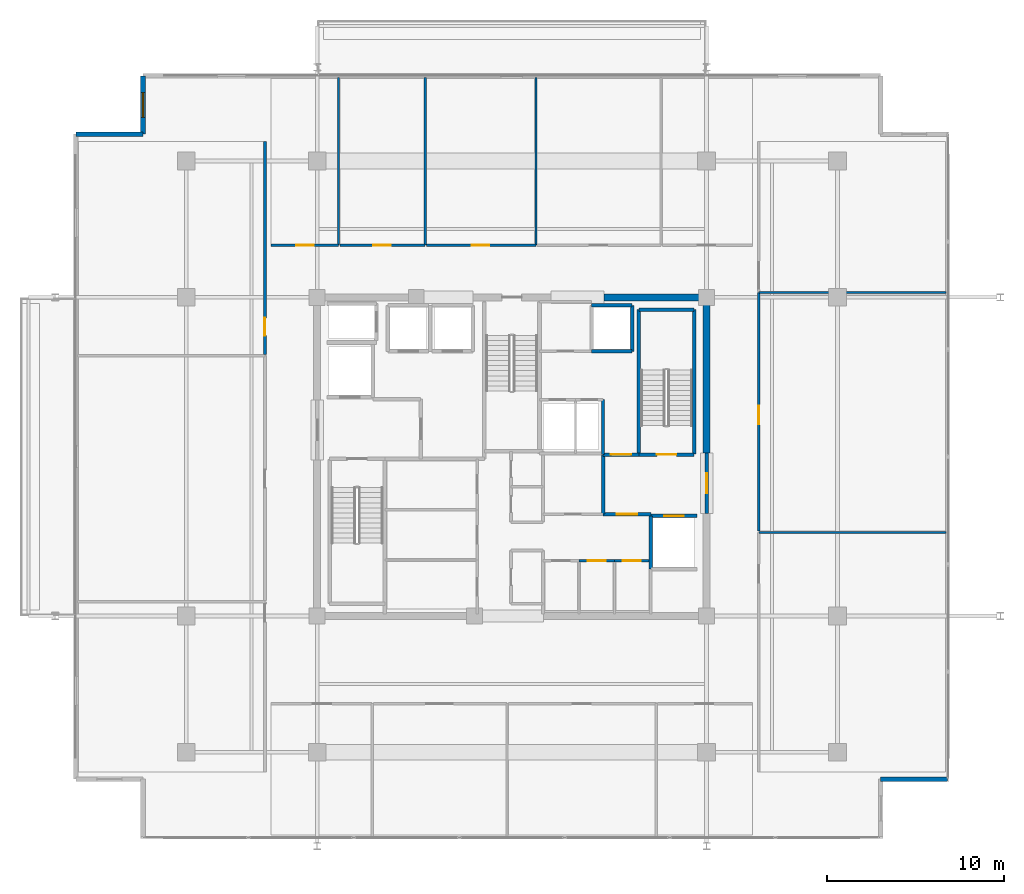
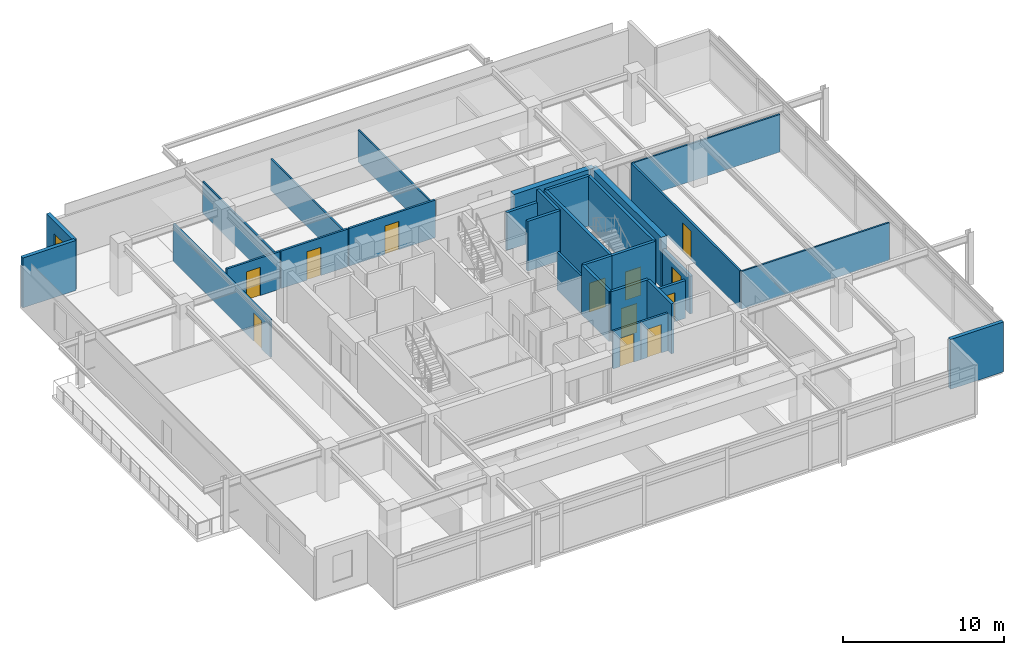
# One storey, part 15 of 20: 31 walls, 12 doors, 1 window, 13 openings.
"""IFC4 building model written with IfcOpenShell, lengths in metres."""

import ifcopenshell
import ifcopenshell.guid

model = None  # the IFC model being written
_history = None  # IfcOwnerHistory: only IFC2X3 demands one
_inside = {}  # id of a spatial element -> (the spatial element, [elements in it])
_under = {}  # id of a project, library or spatial element -> (it, [spatial elements below it])
_declared = {}  # id of a project -> (the project, [libraries it declares])
_typed = {}  # id of a type object -> (the type object, [elements of that type])
_made_of = {}  # id of a material, layer set ... -> (it, [elements and type objects made of it])


def new_model(schema):
    """Start an empty IFC model of exactly this schema.

    Asked for "IFC4X3", IfcOpenShell would pick the latest addendum, in which some entities
    have other attributes; the version numbers below select the first issue.
    IFC2X3 requires an IfcOwnerHistory on every rooted entity: one is made here for all.
    """
    global model, _history
    if schema == "IFC4X3":
        model = ifcopenshell.file(schema_version=(4, 3, 0, 0))
    else:
        model = ifcopenshell.file(schema=schema)
    _inside.clear()
    _under.clear()
    _declared.clear()
    _typed.clear()
    _made_of.clear()
    _history = None
    if model.schema == "IFC2X3":
        org = make("IfcOrganization", Name="unknown")
        user = make(
            "IfcPersonAndOrganization",
            ThePerson=make("IfcPerson", FamilyName="unknown"),
            TheOrganization=org,
        )
        app = make(
            "IfcApplication",
            ApplicationDeveloper=org,
            Version="unknown",
            ApplicationFullName="unknown",
            ApplicationIdentifier="unknown",
        )
        _history = make(
            "IfcOwnerHistory",
            OwningUser=user,
            OwningApplication=app,
            ChangeAction="ADDED",
            CreationDate=0,
        )
    return model


def make(cls, **values):
    """One entity of the class cls with the attributes given. An attribute that is None is left unset."""
    return model.create_entity(
        cls, **{name: value for name, value in values.items() if value is not None}
    )


def rooted(cls, **values):
    """An entity with a GlobalId (a new one), such as an element, a storey or a relation."""
    return make(cls, GlobalId=ifcopenshell.guid.new(), OwnerHistory=_history, **values)


def si_unit(unit_type, name, prefix=None):
    """IfcSIUnit, for example si_unit("LENGTHUNIT", "METRE", prefix="MILLI")."""
    return make("IfcSIUnit", UnitType=unit_type, Prefix=prefix, Name=name)


def assignment(units):
    """IfcUnitAssignment: the units of a project."""
    return None if units is None else make("IfcUnitAssignment", Units=units)


def point(xyz):
    """IfcCartesianPoint."""
    return None if xyz is None else make("IfcCartesianPoint", Coordinates=xyz)


def direction(xyz):
    """IfcDirection."""
    return None if xyz is None else make("IfcDirection", DirectionRatios=xyz)


def frame(location, z_axis=None, x_axis=None):
    """IfcAxis2Placement3D, a coordinate frame: its origin and axes. An axis left out is left unset."""
    return make(
        "IfcAxis2Placement3D",
        Location=point(location),
        Axis=direction(z_axis),
        RefDirection=direction(x_axis),
    )


def frame_2d(location, x_axis=None):
    """IfcAxis2Placement2D, a coordinate frame in the plane: its origin and x axis."""
    return make(
        "IfcAxis2Placement2D", Location=point(location), RefDirection=direction(x_axis)
    )


def origin():
    """The frame at (0, 0, 0) with its axes left unset."""
    return frame((0.0, 0.0, 0.0))


def place(relative_to, where):
    """IfcLocalPlacement: puts the frame where relative to a parent placement (None: the world)."""
    return make(
        "IfcLocalPlacement", PlacementRelTo=relative_to, RelativePlacement=where
    )


def context(
    kind, dimensions, precision=None, world=None, true_north=None, identifier=None
):
    """IfcGeometricRepresentationContext, for example the 3D "Model" context."""
    return make(
        "IfcGeometricRepresentationContext",
        ContextIdentifier=identifier,
        ContextType=kind,
        CoordinateSpaceDimension=dimensions,
        Precision=precision,
        WorldCoordinateSystem=world,
        TrueNorth=true_north,
    )


def subcontext(parent, identifier, kind, view, scale=None):
    """IfcGeometricRepresentationSubContext, for example "Body" below "Model"."""
    return make(
        "IfcGeometricRepresentationSubContext",
        ContextIdentifier=identifier,
        ContextType=kind,
        ParentContext=parent,
        TargetScale=scale,
        TargetView=view,
    )


def project(units=None, contexts=None):
    """IfcProject with its units and contexts."""
    return rooted(
        "IfcProject",
        Name="project",
        RepresentationContexts=contexts,
        UnitsInContext=assignment(units),
    )


def spatial(cls, under=None, at=None, **own):
    """A site, building, storey or space (cls), placed at a placement, below another one or the project."""
    s = rooted(cls, ObjectPlacement=at, **own)
    if under is not None:
        _under.setdefault(under.id(), (under, []))[1].append(s)
    return s


def profile(cls, at=None, kind="AREA", **sizes):
    """A parametric profile (cls). Its sizes go by their IFC names, for example OverallWidth=200.0."""
    return make(cls, ProfileType=kind, Position=at, **sizes)


def rectangle(**sizes):
    """IfcRectangleProfileDef."""
    return profile("IfcRectangleProfileDef", **sizes)


def extrude(swept, where, along, depth):
    """IfcExtrudedAreaSolid: the profile swept, set in the frame where, extruded along a direction by depth."""
    return make(
        "IfcExtrudedAreaSolid",
        SweptArea=swept,
        Position=where,
        ExtrudedDirection=direction(along),
        Depth=depth,
    )


def shape(context_of_items, identifier, shape_type, items):
    """IfcShapeRepresentation: the items that make up one representation, for example the "Body"."""
    return make(
        "IfcShapeRepresentation",
        ContextOfItems=context_of_items,
        RepresentationIdentifier=identifier,
        RepresentationType=shape_type,
        Items=items,
    )


def material(Name=None, Category=None):
    """IfcMaterial."""
    return make("IfcMaterial", Name=Name, Category=Category)


def layer(
    of_material, thickness, ventilated=None, Name=None, Category=None, Priority=None
):
    """IfcMaterialLayer: one layer of a wall or slab, of a material (None: an air gap)."""
    return make(
        "IfcMaterialLayer",
        Material=of_material,
        LayerThickness=thickness,
        IsVentilated=ventilated,
        Name=Name,
        Category=Category,
        Priority=Priority,
    )


def layer_set(layers, Name=None):
    """IfcMaterialLayerSet."""
    return make("IfcMaterialLayerSet", MaterialLayers=layers, LayerSetName=Name)


def made_of(thing, what):
    """Note that an element or type object is made of a material, layer set ...; save() writes the relation."""
    if what is not None:
        _made_of.setdefault(what.id(), (what, []))[1].append(thing)
    return thing


def type_object(cls, material=None, **own):
    """A type object (cls), such as IfcWallType, which elements share."""
    return made_of(rooted(cls, **own), material)


def element(
    cls,
    number,
    at=None,
    inside=None,
    cuts=None,
    type_object=None,
    material=None,
    context=None,
    identifier="Body",
    shape_type=None,
    held_by="IfcProductDefinitionShape",
    body=None,
    shapes=None,
    **own,
):
    """One element of the class cls, such as IfcWall. Its Tag is "e" and its number.

    at: its placement. inside: the storey or other place that contains it. cuts: it is an
    opening in that element (IfcRelVoidsElement). A single representation is given by context,
    identifier, shape_type and body (its items); several are given by shapes. held_by: the class
    of the entity that holds the representations. save() writes the other relations.
    """
    e = rooted(cls, Tag="e%d" % number, ObjectPlacement=at, **own)
    if body is not None:
        shapes = [shape(context, identifier, shape_type, body)]
    if shapes is not None:
        e.Representation = make(held_by, Representations=shapes)
    if inside is not None:
        _inside.setdefault(inside.id(), (inside, []))[1].append(e)
    if cuts is not None:
        rooted(
            "IfcRelVoidsElement", RelatingBuildingElement=cuts, RelatedOpeningElement=e
        )
    if type_object is not None:
        _typed.setdefault(type_object.id(), (type_object, []))[1].append(e)
    return made_of(e, material)


def fill(opening, filler):
    """IfcRelFillsElement: the door or window that sits in an opening."""
    return rooted(
        "IfcRelFillsElement",
        RelatingOpeningElement=opening,
        RelatedBuildingElement=filler,
    )


def aggregate(whole, parts):
    """IfcRelAggregates: a whole, such as a stair, and the parts it consists of."""
    return rooted("IfcRelAggregates", RelatingObject=whole, RelatedObjects=parts)


def save(model, path):
    """Write the relations noted so far, then the file.

    IfcRelAggregates (storeys below a building ...), IfcRelContainedInSpatialStructure (elements
    in a storey), IfcRelDefinesByType, IfcRelAssociatesMaterial and IfcRelDeclares: one each for
    every whole, place, type object, material and project.
    """
    for whole, parts in _under.values():
        aggregate(whole, parts)
    for where, things in _inside.values():
        rooted(
            "IfcRelContainedInSpatialStructure",
            RelatedElements=things,
            RelatingStructure=where,
        )
    for kind, things in _typed.values():
        rooted("IfcRelDefinesByType", RelatedObjects=things, RelatingType=kind)
    for what, things in _made_of.values():
        rooted("IfcRelAssociatesMaterial", RelatedObjects=things, RelatingMaterial=what)
    for by, libraries in _declared.values():
        rooted("IfcRelDeclares", RelatingContext=by, RelatedDefinitions=libraries)
    model.write(path)


model = new_model("IFC4")

# Units and contexts
model_context = context("Model", 3, precision=1e-05, world=origin(), true_north=direction((0.0, 1.0)))
body_context = subcontext(model_context, "Body", "Model", "MODEL_VIEW")
ifc_project = project(units=[si_unit("LENGTHUNIT", "METRE"), si_unit("AREAUNIT", "SQUARE_METRE"), si_unit("VOLUMEUNIT", "CUBIC_METRE"), si_unit("PLANEANGLEUNIT", "RADIAN"), si_unit("MASSUNIT", "GRAM", prefix="KILO")], contexts=[model_context])

# Site, building, storey
site_placement = place(None, origin())
site = spatial("IfcSite", under=ifc_project, at=site_placement, CompositionType="ELEMENT")
building_placement = place(site_placement, origin())
building = spatial("IfcBuilding", under=site, at=building_placement, Name="Kovane Verandah Tower", CompositionType="ELEMENT")
storey_placement = place(building_placement, frame((0.0, 0.0, 330.800048828125)))
storey = spatial("IfcBuildingStorey", under=building, at=storey_placement, Name="L77", CompositionType="ELEMENT", Elevation=330.800048828125)

# Wall, opening, door
ifc_material_1 = material(Name="Fire-Rated Gypsum Stud Partition", Category="gypsum")
ifc_layer_1 = layer(ifc_material_1, 0.14990234375)
ifc_layer_set_1 = layer_set([ifc_layer_1], Name="Fire-Rated Gypsum Stud Partition")
wall_type_1 = type_object("IfcWallType", Name="WL-COR-150", PredefinedType="PARTITIONING", material=ifc_layer_set_1)
wall_1_placement = place(storey_placement, frame((43.800048828125, 21.6201171875, 0.0), z_axis=(0.0, 0.0, 1.0), x_axis=(1.0, 0.0, 0.0)))
wall_1 = element("IfcWall", 1, at=wall_1_placement, inside=storey, type_object=wall_type_1, Name="L77 First Aid Room Partition", PredefinedType="PARTITIONING", context=body_context, shape_type="SweptSolid", body=[
    extrude(rectangle(XDim=2.0, YDim=0.14990234375, at=frame_2d((1.0, 0.0))), origin(), (0.0, 0.0, 1.0), 2.849853515625),
])
opening_1_placement = place(wall_1_placement, frame((0.5, 0.0, 0.0)))
opening_1 = element("IfcOpeningElement", 2, at=opening_1_placement, cuts=wall_1, Name="Opening DR-L77-018", PredefinedType="OPENING", context=body_context, shape_type="SweptSolid", body=[
    extrude(rectangle(XDim=1.0, YDim=2.14990234375, at=frame_2d((0.5, 1.074951171875))), frame((0.0, 0.074951171875, 0.0), z_axis=(0.0, -1.0, 0.0), x_axis=(1.0, 0.0, 0.0)), (0.0, 0.0, 1.0), 0.14990234375),
])
ifc_material_2 = material(Name="FSC Spotted-Gum Timber Fire-Rated Office Door", Category="wood")
door_type_1 = type_object("IfcDoorType", Name="DR-OFF-1000", OperationType="SINGLE_SWING_LEFT", PredefinedType="DOOR", material=ifc_material_2)
door_1_placement = place(opening_1_placement, origin())
door_1 = element("IfcDoor", 3, at=door_1_placement, inside=storey, type_object=door_type_1, Name="L77 First Aid Room Door", OperationType="SINGLE_SWING_LEFT", OverallHeight=2.14990234375, OverallWidth=1.0, PredefinedType="DOOR", context=body_context, shape_type="SweptSolid", body=[
    extrude(rectangle(XDim=1.0, YDim=2.14990234375, at=frame_2d((0.5, 1.074951171875))), frame((0.0, 0.02490234375, 0.0), z_axis=(0.0, -1.0, 0.0), x_axis=(1.0, 0.0, 0.0)), (0.0, 0.0, 1.0), 0.050048828125),
])
fill(opening_1, door_1)

wall_2_placement = place(storey_placement, frame((45.800048828125, 21.6201171875, 0.0), z_axis=(0.0, 0.0, 1.0), x_axis=(1.0, 0.0, 0.0)))
wall_2 = element("IfcWall", 4, at=wall_2_placement, inside=storey, type_object=wall_type_1, Name="L77 Quiet Wellness Room Partition", PredefinedType="PARTITIONING", context=body_context, shape_type="SweptSolid", body=[
    extrude(rectangle(XDim=1.93994140625, YDim=0.14990234375, at=frame_2d((0.969970703125, 0.0))), origin(), (0.0, 0.0, 1.0), 2.849853515625),
])
opening_2_placement = place(wall_2_placement, frame((0.469970703125, 0.0, 0.0)))
opening_2 = element("IfcOpeningElement", 5, at=opening_2_placement, cuts=wall_2, Name="Opening DR-L77-019", PredefinedType="OPENING", context=body_context, shape_type="SweptSolid", body=[
    extrude(rectangle(XDim=1.0, YDim=2.14990234375, at=frame_2d((0.5, 1.074951171875))), frame((0.0, 0.074951171875, 0.0), z_axis=(0.0, -1.0, 0.0), x_axis=(1.0, 0.0, 0.0)), (0.0, 0.0, 1.0), 0.14990234375),
])
door_2_placement = place(opening_2_placement, origin())
door_2 = element("IfcDoor", 6, at=door_2_placement, inside=storey, type_object=door_type_1, Name="L77 Quiet Wellness Room Door", OperationType="SINGLE_SWING_RIGHT", OverallHeight=2.14990234375, OverallWidth=1.0, PredefinedType="DOOR", context=body_context, shape_type="SweptSolid", body=[
    extrude(rectangle(XDim=1.0, YDim=2.14990234375, at=frame_2d((0.5, 1.074951171875))), frame((0.0, 0.02490234375, 0.0), z_axis=(0.0, -1.0, 0.0), x_axis=(1.0, 0.0, 0.0)), (0.0, 0.0, 1.0), 0.050048828125),
])
fill(opening_2, door_2)

# Wall
wall_3_placement = place(storey_placement, frame((45.14990234375, 27.6201171875, 0.0), z_axis=(0.0, 0.0, 1.0), x_axis=(0.0, 1.0, 0.0)))
element("IfcWall", 7, at=wall_3_placement, inside=storey, type_object=wall_type_1, Name="L77 East Core Service Riser East Wall", PredefinedType="PARTITIONING", context=body_context, shape_type="SweptSolid", body=[
    extrude(rectangle(XDim=3.099853515625, YDim=0.14990234375, at=frame_2d((1.5498046875, 0.0))), origin(), (0.0, 0.0, 1.0), 2.849853515625),
])

# Wall, opening, door
wall_4_placement = place(storey_placement, frame((26.39990234375, 39.449951171875, 0.0), z_axis=(0.0, 0.0, 1.0), x_axis=(1.0, 0.0, 0.0)))
wall_4 = element("IfcWall", 8, at=wall_4_placement, inside=storey, type_object=wall_type_1, Name="L77 Focus Studio N1 Corridor Partition", PredefinedType="PARTITIONING", context=body_context, shape_type="SweptSolid", body=[
    extrude(rectangle(XDim=3.80810546875, YDim=0.14990234375, at=frame_2d((1.904052734375, 0.0))), origin(), (0.0, 0.0, 1.0), 2.849853515625),
])
opening_3_placement = place(wall_4_placement, frame((1.4189453125, 0.0, 0.0)))
opening_3 = element("IfcOpeningElement", 9, at=opening_3_placement, cuts=wall_4, Name="Opening DR-L77-024", PredefinedType="OPENING", context=body_context, shape_type="SweptSolid", body=[
    extrude(rectangle(XDim=1.0, YDim=2.14990234375, at=frame_2d((0.5, 1.074951171875))), frame((0.0, 0.074951171875, 0.0), z_axis=(0.0, -1.0, 0.0), x_axis=(1.0, 0.0, 0.0)), (0.0, 0.0, 1.0), 0.14990234375),
])
door_3_placement = place(opening_3_placement, origin())
door_3 = element("IfcDoor", 10, at=door_3_placement, inside=storey, type_object=door_type_1, Name="L77 Focus Studio N1 Entrance Door", OperationType="SINGLE_SWING_LEFT", OverallHeight=2.14990234375, OverallWidth=1.0, PredefinedType="DOOR", context=body_context, shape_type="SweptSolid", body=[
    extrude(rectangle(XDim=1.0, YDim=2.14990234375, at=frame_2d((0.5, 1.074951171875))), frame((0.0, 0.02490234375, 0.0), z_axis=(0.0, -1.0, 0.0), x_axis=(1.0, 0.0, 0.0)), (0.0, 0.0, 1.0), 0.050048828125),
])
fill(opening_3, door_3)

wall_5_placement = place(storey_placement, frame((30.278076171875, 39.449951171875, 0.0), z_axis=(0.0, 0.0, 1.0), x_axis=(1.0, 0.0, 0.0)))
wall_5 = element("IfcWall", 11, at=wall_5_placement, inside=storey, type_object=wall_type_1, Name="L77 Breakout Pantry N2 Corridor Partition", PredefinedType="PARTITIONING", context=body_context, shape_type="SweptSolid", body=[
    extrude(rectangle(XDim=4.825927734375, YDim=0.14990234375, at=frame_2d((2.4130859375, 0.0))), origin(), (0.0, 0.0, 1.0), 2.849853515625),
])
opening_4_placement = place(wall_5_placement, frame((1.8779296875, 0.0, 0.0)))
opening_4 = element("IfcOpeningElement", 12, at=opening_4_placement, cuts=wall_5, Name="Opening DR-L77-025", PredefinedType="OPENING", context=body_context, shape_type="SweptSolid", body=[
    extrude(rectangle(XDim=1.0, YDim=2.14990234375, at=frame_2d((0.5, 1.074951171875))), frame((0.0, 0.074951171875, 0.0), z_axis=(0.0, -1.0, 0.0), x_axis=(1.0, 0.0, 0.0)), (0.0, 0.0, 1.0), 0.14990234375),
])
door_4_placement = place(opening_4_placement, origin())
door_4 = element("IfcDoor", 13, at=door_4_placement, inside=storey, type_object=door_type_1, Name="L77 Breakout Pantry N2 Entrance Door", OperationType="SINGLE_SWING_RIGHT", OverallHeight=2.14990234375, OverallWidth=1.0, PredefinedType="DOOR", context=body_context, shape_type="SweptSolid", body=[
    extrude(rectangle(XDim=1.0, YDim=2.14990234375, at=frame_2d((0.5, 1.074951171875))), frame((0.0, 0.02490234375, 0.0), z_axis=(0.0, -1.0, 0.0), x_axis=(1.0, 0.0, 0.0)), (0.0, 0.0, 1.0), 0.050048828125),
])
fill(opening_4, door_4)

wall_6_placement = place(storey_placement, frame((35.174072265625, 39.449951171875, 0.0), z_axis=(0.0, 0.0, 1.0), x_axis=(1.0, 0.0, 0.0)))
wall_6 = element("IfcWall", 14, at=wall_6_placement, inside=storey, type_object=wall_type_1, Name="L77 Collaboration Hub N3 Corridor Partition", PredefinedType="PARTITIONING", context=body_context, shape_type="SweptSolid", body=[
    extrude(rectangle(XDim=6.18603515625, YDim=0.14990234375, at=frame_2d((3.093017578125, 0.0))), origin(), (0.0, 0.0, 1.0), 2.849853515625),
])
opening_5_placement = place(wall_6_placement, frame((2.55810546875, 0.0, 0.0)))
opening_5 = element("IfcOpeningElement", 15, at=opening_5_placement, cuts=wall_6, Name="Opening DR-L77-026", PredefinedType="OPENING", context=body_context, shape_type="SweptSolid", body=[
    extrude(rectangle(XDim=1.0, YDim=2.14990234375, at=frame_2d((0.5, 1.074951171875))), frame((0.0, 0.074951171875, 0.0), z_axis=(0.0, -1.0, 0.0), x_axis=(1.0, 0.0, 0.0)), (0.0, 0.0, 1.0), 0.14990234375),
])
door_5_placement = place(opening_5_placement, origin())
door_5 = element("IfcDoor", 16, at=door_5_placement, inside=storey, type_object=door_type_1, Name="L77 Collaboration Hub N3 Entrance Door", OperationType="SINGLE_SWING_LEFT", OverallHeight=2.14990234375, OverallWidth=1.0, PredefinedType="DOOR", context=body_context, shape_type="SweptSolid", body=[
    extrude(rectangle(XDim=1.0, YDim=2.14990234375, at=frame_2d((0.5, 1.074951171875))), frame((0.0, 0.02490234375, 0.0), z_axis=(0.0, -1.0, 0.0), x_axis=(1.0, 0.0, 0.0)), (0.0, 0.0, 1.0), 0.050048828125),
])
fill(opening_5, door_5)

wall_7_placement = place(storey_placement, frame((26.050048828125, 33.271728515625, 0.0), z_axis=(0.0, 0.0, 1.0), x_axis=(0.0, 1.0, 0.0)))
wall_7 = element("IfcWall", 17, at=wall_7_placement, inside=storey, type_object=wall_type_1, Name="L77 Document and Print Room W3 Corridor Partition", PredefinedType="PARTITIONING", context=body_context, shape_type="SweptSolid", body=[
    extrude(rectangle(XDim=12.04638671875, YDim=0.14990234375, at=frame_2d((6.023193359375, 0.0))), origin(), (0.0, 0.0, 1.0), 2.849853515625),
])
opening_6_placement = place(wall_7_placement, frame((1.064208984375, 0.0, 0.0)))
opening_6 = element("IfcOpeningElement", 18, at=opening_6_placement, cuts=wall_7, Name="Opening DR-L77-038", PredefinedType="OPENING", context=body_context, shape_type="SweptSolid", body=[
    extrude(rectangle(XDim=1.0, YDim=2.14990234375, at=frame_2d((0.5, 1.074951171875))), frame((0.0, 0.074951171875, 0.0), z_axis=(0.0, -1.0, 0.0), x_axis=(1.0, 0.0, 0.0)), (0.0, 0.0, 1.0), 0.14990234375),
])
door_6_placement = place(opening_6_placement, origin())
door_6 = element("IfcDoor", 19, at=door_6_placement, inside=storey, type_object=door_type_1, Name="L77 Document and Print Room W3 Entrance Door", OperationType="SINGLE_SWING_RIGHT", OverallHeight=2.14990234375, OverallWidth=1.0, PredefinedType="DOOR", context=body_context, shape_type="SweptSolid", body=[
    extrude(rectangle(XDim=1.0, YDim=2.14990234375, at=frame_2d((0.5, 1.074951171875))), frame((0.0, 0.02490234375, 0.0), z_axis=(0.0, -1.0, 0.0), x_axis=(1.0, 0.0, 0.0)), (0.0, 0.0, 1.0), 0.050048828125),
])
fill(opening_6, door_6)

wall_8_placement = place(storey_placement, frame((53.949951171875, 23.293701171875, 0.0), z_axis=(0.0, 0.0, 1.0), x_axis=(0.0, 1.0, 0.0)))
wall_8 = element("IfcWall", 20, at=wall_8_placement, inside=storey, type_object=wall_type_1, Name="L77 Executive Office E2 Corridor Partition", PredefinedType="PARTITIONING", context=body_context, shape_type="SweptSolid", body=[
    extrude(rectangle(XDim=13.4716796875, YDim=0.14990234375, at=frame_2d((6.73583984375, 0.0))), origin(), (0.0, 0.0, 1.0), 2.849853515625),
])
opening_7_placement = place(wall_8_placement, frame((6.0283203125, 0.0, 0.0)))
opening_7 = element("IfcOpeningElement", 21, at=opening_7_placement, cuts=wall_8, Name="Opening DR-L77-012", PredefinedType="OPENING", context=body_context, shape_type="SweptSolid", body=[
    extrude(rectangle(XDim=1.050048828125, YDim=2.199951171875, at=frame_2d((0.52490234375, 1.10009765625))), frame((0.0, 0.074951171875, 0.0), z_axis=(0.0, -1.0, 0.0), x_axis=(1.0, 0.0, 0.0)), (0.0, 0.0, 1.0), 0.14990234375),
])
ifc_material_3 = material(Name="FSC Blackbutt Timber Fire-Rated Executive Door", Category="wood")
door_type_2 = type_object("IfcDoorType", Name="DR-EXEC-1050", OperationType="SINGLE_SWING_LEFT", PredefinedType="DOOR", material=ifc_material_3)
door_7_placement = place(opening_7_placement, origin())
door_7 = element("IfcDoor", 22, at=door_7_placement, inside=storey, type_object=door_type_2, Name="L77 Executive Office E2 Entrance Door", OperationType="SINGLE_SWING_RIGHT", OverallHeight=2.199951171875, OverallWidth=1.050048828125, PredefinedType="DOOR", context=body_context, shape_type="SweptSolid", body=[
    extrude(rectangle(XDim=1.050048828125, YDim=2.199951171875, at=frame_2d((0.52490234375, 1.10009765625))), frame((0.0, 0.02490234375, 0.0), z_axis=(0.0, -1.0, 0.0), x_axis=(1.0, 0.0, 0.0)), (0.0, 0.0, 1.0), 0.050048828125),
])
fill(opening_7, door_7)

# Walls
ifc_material_4 = material(Name="Concrete C60/75", Category="concrete")
ifc_layer_2 = layer(ifc_material_4, 0.39990234375)
ifc_layer_set_2 = layer_set([ifc_layer_2], Name="Concrete C60/75")
wall_type_2 = type_object("IfcWallType", Name="WL-CORE-400", PredefinedType="SHEAR", material=ifc_layer_set_2)
wall_9_placement = place(storey_placement, frame((45.199951171875, 36.5, 0.0), z_axis=(0.0, 0.0, 1.0), x_axis=(1.0, 0.0, 0.0)))
element("IfcWall", 23, at=wall_9_placement, inside=storey, type_object=wall_type_2, Name="L77 Core Shear Wall CN-3", PredefinedType="SHEAR", context=body_context, shape_type="SweptSolid", body=[
    extrude(rectangle(XDim=5.800048828125, YDim=0.39990234375, at=frame_2d((2.89990234375, 0.0))), origin(), (0.0, 0.0, 1.0), 3.784912109375),
])
wall_10_placement = place(storey_placement, frame((51.0, 27.699951171875, 0.0), z_axis=(0.0, 0.0, 1.0), x_axis=(0.0, 1.0, 0.0)))
element("IfcWall", 24, at=wall_10_placement, inside=storey, type_object=wall_type_2, Name="L77 Core Shear Wall CE-2", PredefinedType="SHEAR", context=body_context, shape_type="SweptSolid", body=[
    extrude(rectangle(XDim=8.800048828125, YDim=0.39990234375, at=frame_2d((4.39990234375, 0.0))), origin(), (0.0, 0.0, 1.0), 3.784912109375),
])
ifc_material_5 = material(Name="Concrete C45/55 Fire Wall", Category="concrete")
ifc_layer_3 = layer(ifc_material_5, 0.199951171875)
ifc_layer_set_3 = layer_set([ifc_layer_3], Name="Concrete C45/55 Fire Wall")
wall_type_3 = type_object("IfcWallType", Name="WL-FFL-200", PredefinedType="PARTITIONING", material=ifc_layer_set_3)
wall_11_placement = place(storey_placement, frame((45.14990234375, 24.25, 0.0), z_axis=(0.0, 0.0, 1.0), x_axis=(0.0, 1.0, 0.0)))
element("IfcWall", 25, at=wall_11_placement, inside=storey, type_object=wall_type_3, Name="L77 East Firefighting Lobby West Fire Wall", PredefinedType="PARTITIONING", context=body_context, shape_type="SweptSolid", body=[
    extrude(rectangle(XDim=3.3701171875, YDim=0.199951171875, at=frame_2d((1.68505859375, 0.0))), origin(), (0.0, 0.0, 1.0), 3.784912109375),
])

# Wall, opening, door
wall_12_placement = place(storey_placement, frame((45.14990234375, 24.25, 0.0), z_axis=(0.0, 0.0, 1.0), x_axis=(1.0, 0.0, 0.0)))
wall_12 = element("IfcWall", 26, at=wall_12_placement, inside=storey, type_object=wall_type_3, Name="W-L77-FFLE-S", PredefinedType="PARTITIONING", context=body_context, shape_type="SweptSolid", body=[
    extrude(rectangle(XDim=2.7001953125, YDim=0.199951171875, at=frame_2d((1.35009765625, 0.0))), origin(), (0.0, 0.0, 1.0), 3.784912109375),
])
opening_8_placement = place(wall_12_placement, frame((0.77490234375, 0.0, 0.0)))
opening_8 = element("IfcOpeningElement", 27, at=opening_8_placement, cuts=wall_12, Name="Opening DR-L77-003", PredefinedType="OPENING", context=body_context, shape_type="SweptSolid", body=[
    extrude(rectangle(XDim=1.14990234375, YDim=2.199951171875, at=frame_2d((0.574951171875, 1.10009765625))), frame((0.0, 0.10009765625, 0.0), z_axis=(0.0, -1.0, 0.0), x_axis=(1.0, 0.0, 0.0)), (0.0, 0.0, 1.0), 0.199951171875),
])
ifc_material_6 = material(Name="Smoke-Sealed Firefighting Lobby Door", Category="steel")
door_type_3 = type_object("IfcDoorType", Name="DR-FFL-1150", OperationType="SINGLE_SWING_LEFT", PredefinedType="DOOR", material=ifc_material_6)
door_8_placement = place(opening_8_placement, origin())
door_8 = element("IfcDoor", 28, at=door_8_placement, inside=storey, type_object=door_type_3, Name="L77 East Firefighting Lobby Inner Door", OperationType="SINGLE_SWING_RIGHT", OverallHeight=2.199951171875, OverallWidth=1.14990234375, PredefinedType="DOOR", context=body_context, shape_type="SweptSolid", body=[
    extrude(rectangle(XDim=1.14990234375, YDim=2.199951171875, at=frame_2d((0.574951171875, 1.10009765625))), frame((0.0, 0.02490234375, 0.0), z_axis=(0.0, -1.0, 0.0), x_axis=(1.0, 0.0, 0.0)), (0.0, 0.0, 1.0), 0.050048828125),
])
fill(opening_8, door_8)

wall_13_placement = place(storey_placement, frame((45.14990234375, 27.6201171875, 0.0), z_axis=(0.0, 0.0, 1.0), x_axis=(1.0, 0.0, 0.0)))
wall_13 = element("IfcWall", 29, at=wall_13_placement, inside=storey, type_object=wall_type_3, Name="W-L77-FFLE-N", PredefinedType="PARTITIONING", context=body_context, shape_type="SweptSolid", body=[
    extrude(rectangle(XDim=2.030029296875, YDim=0.199951171875, at=frame_2d((1.01513671875, 0.0))), origin(), (0.0, 0.0, 1.0), 3.784912109375),
])
opening_9_placement = place(wall_13_placement, frame((0.43994140625, 0.0, 0.0)))
opening_9 = element("IfcOpeningElement", 30, at=opening_9_placement, cuts=wall_13, Name="Opening DR-L77-004", PredefinedType="OPENING", context=body_context, shape_type="SweptSolid", body=[
    extrude(rectangle(XDim=1.14990234375, YDim=2.199951171875, at=frame_2d((0.574951171875, 1.10009765625))), frame((0.0, 0.10009765625, 0.0), z_axis=(0.0, -1.0, 0.0), x_axis=(1.0, 0.0, 0.0)), (0.0, 0.0, 1.0), 0.199951171875),
])
door_9_placement = place(opening_9_placement, origin())
door_9 = element("IfcDoor", 31, at=door_9_placement, inside=storey, type_object=door_type_3, Name="L77 East Firefighting Lobby Shuttle Link Door", OperationType="SINGLE_SWING_LEFT", OverallHeight=2.199951171875, OverallWidth=1.14990234375, PredefinedType="DOOR", context=body_context, shape_type="SweptSolid", body=[
    extrude(rectangle(XDim=1.14990234375, YDim=2.199951171875, at=frame_2d((0.574951171875, 1.10009765625))), frame((0.0, 0.02490234375, 0.0), z_axis=(0.0, -1.0, 0.0), x_axis=(1.0, 0.0, 0.0)), (0.0, 0.0, 1.0), 0.050048828125),
])
fill(opening_9, door_9)

wall_14_placement = place(storey_placement, frame((51.0, 24.300048828125, 0.0), z_axis=(0.0, 0.0, 1.0), x_axis=(0.0, 1.0, 0.0)))
wall_14 = element("IfcWall", 32, at=wall_14_placement, inside=storey, type_object=wall_type_3, Name="W-L77-FFLE-OUT", PredefinedType="PARTITIONING", context=body_context, shape_type="SweptSolid", body=[
    extrude(rectangle(XDim=3.39990234375, YDim=0.199951171875, at=frame_2d((1.699951171875, 0.0))), origin(), (0.0, 0.0, 1.0), 2.864990234375),
])
opening_10_placement = place(wall_14_placement, frame((1.125, 0.0, 0.0)))
opening_10 = element("IfcOpeningElement", 33, at=opening_10_placement, cuts=wall_14, Name="Opening DR-L77-005", PredefinedType="OPENING", context=body_context, shape_type="SweptSolid", body=[
    extrude(rectangle(XDim=1.14990234375, YDim=2.199951171875, at=frame_2d((0.574951171875, 1.10009765625))), frame((0.0, 0.10009765625, 0.0), z_axis=(0.0, -1.0, 0.0), x_axis=(1.0, 0.0, 0.0)), (0.0, 0.0, 1.0), 0.199951171875),
])
door_10_placement = place(opening_10_placement, origin())
door_10 = element("IfcDoor", 34, at=door_10_placement, inside=storey, type_object=door_type_3, Name="L77 East Firefighting Lobby Corridor Door", OperationType="SINGLE_SWING_LEFT", OverallHeight=2.199951171875, OverallWidth=1.14990234375, PredefinedType="DOOR", context=body_context, shape_type="SweptSolid", body=[
    extrude(rectangle(XDim=1.14990234375, YDim=2.199951171875, at=frame_2d((0.574951171875, 1.10009765625))), frame((0.0, 0.02490234375, 0.0), z_axis=(0.0, -1.0, 0.0), x_axis=(1.0, 0.0, 0.0)), (0.0, 0.0, 1.0), 0.050048828125),
])
fill(opening_10, door_10)

ifc_material_7 = material(Name="Concrete C45/55 Lift Shaft Wall", Category="concrete")
ifc_layer_4 = layer(ifc_material_7, 0.199951171875)
ifc_layer_set_4 = layer_set([ifc_layer_4], Name="Concrete C45/55 Lift Shaft Wall")
wall_type_4 = type_object("IfcWallType", Name="WL-LIFT-200", PredefinedType="SOLIDWALL", material=ifc_layer_set_4)
wall_15_placement = place(storey_placement, frame((50.449951171875, 24.14990234375, 0.0), z_axis=(0.0, 0.0, 1.0), x_axis=(-1.0, 0.0, 0.0)))
wall_15 = element("IfcWall", 35, at=wall_15_placement, inside=storey, type_object=wall_type_4, Name="L77 Lift FL-02 N Shaft Wall", PredefinedType="SOLIDWALL", context=body_context, shape_type="SweptSolid", body=[
    extrude(rectangle(XDim=2.599853515625, YDim=0.199951171875, at=frame_2d((1.2998046875, 0.0))), origin(), (0.0, 0.0, 1.0), 2.864990234375),
])
opening_11_placement = place(wall_15_placement, frame((0.75, 0.0, 0.0)))
opening_11 = element("IfcOpeningElement", 36, at=opening_11_placement, cuts=wall_15, Name="Opening LD-L77-002", PredefinedType="OPENING", context=body_context, shape_type="SweptSolid", body=[
    extrude(rectangle(XDim=1.10009765625, YDim=2.199951171875, at=frame_2d((0.550048828125, 1.10009765625))), frame((0.0, 0.10009765625, 0.0), z_axis=(0.0, -1.0, 0.0), x_axis=(1.0, 0.0, 0.0)), (0.0, 0.0, 1.0), 0.199951171875),
])
ifc_material_8 = material(Name="Brushed Stainless Steel Sliding Lift Landing Door", Category="steel")
door_type_4 = type_object("IfcDoorType", Name="DR-LIFT-1100", OperationType="SLIDING_TO_RIGHT", PredefinedType="DOOR", material=ifc_material_8)
door_11_placement = place(opening_11_placement, origin())
door_11 = element("IfcDoor", 37, at=door_11_placement, inside=storey, type_object=door_type_4, Name="L77 Lift FL-02 Sliding Landing Door", OperationType="SLIDING_TO_RIGHT", OverallHeight=2.199951171875, OverallWidth=1.10009765625, PredefinedType="DOOR", context=body_context, shape_type="SweptSolid", body=[
    extrude(rectangle(XDim=1.10009765625, YDim=2.199951171875, at=frame_2d((0.550048828125, 1.10009765625))), frame((0.0, 0.02490234375, 0.0), z_axis=(0.0, -1.0, 0.0), x_axis=(1.0, 0.0, 0.0)), (0.0, 0.0, 1.0), 0.050048828125),
])
fill(opening_11, door_11)

# Walls
wall_16_placement = place(storey_placement, frame((47.85009765625, 24.14990234375, 0.0), z_axis=(0.0, 0.0, 1.0), x_axis=(0.0, -1.0, 0.0)))
element("IfcWall", 38, at=wall_16_placement, inside=storey, type_object=wall_type_4, Name="L77 Lift FL-02 W Shaft Wall", PredefinedType="SOLIDWALL", context=body_context, shape_type="SweptSolid", body=[
    extrude(rectangle(XDim=3.0, YDim=0.199951171875, at=frame_2d((1.5, 0.0))), origin(), (0.0, 0.0, 1.0), 3.784912109375),
])
wall_17_placement = place(storey_placement, frame((44.5, 33.449951171875, 0.0), z_axis=(0.0, 0.0, 1.0), x_axis=(1.0, 0.0, 0.0)))
element("IfcWall", 39, at=wall_17_placement, inside=storey, type_object=wall_type_4, Name="L77 Lift OL-01 S Shaft Wall", PredefinedType="SOLIDWALL", context=body_context, shape_type="SweptSolid", body=[
    extrude(rectangle(XDim=2.300048828125, YDim=0.199951171875, at=frame_2d((1.14990234375, 0.0))), origin(), (0.0, 0.0, 1.0), 3.784912109375),
])
wall_18_placement = place(storey_placement, frame((46.800048828125, 36.050048828125, 0.0), z_axis=(0.0, 0.0, 1.0), x_axis=(-1.0, 0.0, 0.0)))
element("IfcWall", 40, at=wall_18_placement, inside=storey, type_object=wall_type_4, Name="L77 Lift OL-01 N Shaft Wall", PredefinedType="SOLIDWALL", context=body_context, shape_type="SweptSolid", body=[
    extrude(rectangle(XDim=2.300048828125, YDim=0.199951171875, at=frame_2d((1.14990234375, 0.0))), origin(), (0.0, 0.0, 1.0), 2.864990234375),
])
wall_19_placement = place(storey_placement, frame((46.800048828125, 33.449951171875, 0.0), z_axis=(0.0, 0.0, 1.0), x_axis=(0.0, 1.0, 0.0)))
element("IfcWall", 41, at=wall_19_placement, inside=storey, type_object=wall_type_4, Name="L77 Lift OL-01 E Shaft Wall", PredefinedType="SOLIDWALL", context=body_context, shape_type="SweptSolid", body=[
    extrude(rectangle(XDim=2.60009765625, YDim=0.199951171875, at=frame_2d((1.300048828125, 0.0))), origin(), (0.0, 0.0, 1.0), 3.784912109375),
])
ifc_material_9 = material(Name="Acoustic Fire-Rated Gypsum Partition", Category="gypsum")
ifc_layer_5 = layer(ifc_material_9, 0.1201171875)
ifc_layer_set_5 = layer_set([ifc_layer_5], Name="Acoustic Fire-Rated Gypsum Partition")
wall_type_5 = type_object("IfcWallType", Name="WL-PART-120", PredefinedType="PARTITIONING", material=ifc_layer_set_5)
for number, where, z_axis, x_axis, name in (
    (42, (30.2080078125, 39.449951171875, 0.0), (0.0, 0.0, 1.0), (0.0, 1.0, 0.0), "L77 Focus Studio N1 Dividing Partition"),
    (43, (35.10400390625, 39.449951171875, 0.0), (0.0, 0.0, 1.0), (0.0, 1.0, 0.0), "L77 Breakout Pantry N2 Dividing Partition"),
    (44, (41.360107421875, 39.449951171875, 0.0), (0.0, 0.0, 1.0), (0.0, 1.0, 0.0), "L77 Collaboration Hub N3 Dividing Partition"),
):
    element("IfcWall", number, at=place(storey_placement, frame(where, z_axis=z_axis, x_axis=x_axis)), inside=storey, type_object=wall_type_5, Name=name, PredefinedType="PARTITIONING", context=body_context, shape_type="SweptSolid", body=[
        extrude(rectangle(XDim=9.46826171875, YDim=0.1201171875, at=frame_2d((4.734130859375, 0.0))), origin(), (0.0, 0.0, 1.0), 2.4150390625),
    ])
for number, where, z_axis, x_axis, name in (
    (45, (53.949951171875, 23.2236328125, 0.0), (0.0, 0.0, 1.0), (1.0, 0.0, 0.0), "L77 Open Plan Office E1 Dividing Partition"),
    (46, (53.949951171875, 36.765380859375, 0.0), (0.0, 0.0, 1.0), (1.0, 0.0, 0.0), "L77 Executive Office E2 Dividing Partition"),
):
    element("IfcWall", number, at=place(storey_placement, frame(where, z_axis=z_axis, x_axis=x_axis)), inside=storey, type_object=wall_type_5, Name=name, PredefinedType="PARTITIONING", context=body_context, shape_type="SweptSolid", body=[
        extrude(rectangle(XDim=10.58642578125, YDim=0.1201171875, at=frame_2d((5.293212890625, 0.0))), origin(), (0.0, 0.0, 1.0), 2.849853515625),
    ])
ifc_material_10 = material(Name="Concrete C45/55", Category="concrete")
ifc_layer_6 = layer(ifc_material_10, 0.199951171875)
ifc_layer_set_6 = layer_set([ifc_layer_6], Name="Concrete C45/55")
wall_type_6 = type_object("IfcWallType", Name="WL-SHAFT-200", PredefinedType="SOLIDWALL", material=ifc_layer_set_6)
wall_20_placement = place(storey_placement, frame((50.300048828125, 27.64990234375, 0.0), z_axis=(0.0, 0.0, 1.0), x_axis=(0.0, 1.0, 0.0)))
element("IfcWall", 47, at=wall_20_placement, inside=storey, type_object=wall_type_6, Name="W-L77-ST02-E", PredefinedType="SOLIDWALL", context=body_context, shape_type="SweptSolid", body=[
    extrude(rectangle(XDim=8.150146484375, YDim=0.199951171875, at=frame_2d((4.0751953125, 0.0))), origin(), (0.0, 0.0, 1.0), 3.784912109375),
])
wall_21_placement = place(storey_placement, frame((47.179931640625, 35.800048828125, 0.0), z_axis=(0.0, 0.0, 1.0), x_axis=(1.0, 0.0, 0.0)))
element("IfcWall", 48, at=wall_21_placement, inside=storey, type_object=wall_type_6, Name="W-L77-ST02-N", PredefinedType="SOLIDWALL", context=body_context, shape_type="SweptSolid", body=[
    extrude(rectangle(XDim=3.1201171875, YDim=0.199951171875, at=frame_2d((1.56005859375, 0.0))), origin(), (0.0, 0.0, 1.0), 3.784912109375),
])
wall_22_placement = place(storey_placement, frame((47.179931640625, 27.6201171875, 0.0), z_axis=(0.0, 0.0, 1.0), x_axis=(0.0, 1.0, 0.0)))
element("IfcWall", 49, at=wall_22_placement, inside=storey, type_object=wall_type_6, Name="W-L77-ST02-W", PredefinedType="SOLIDWALL", context=body_context, shape_type="SweptSolid", body=[
    extrude(rectangle(XDim=8.179931640625, YDim=0.199951171875, at=frame_2d((4.08984375, 0.0))), origin(), (0.0, 0.0, 1.0), 3.784912109375),
])

# Wall, opening, door
wall_23_placement = place(storey_placement, frame((47.179931640625, 27.6201171875, 0.0), z_axis=(0.0, 0.0, 1.0), x_axis=(1.0, 0.0, 0.0)))
wall_23 = element("IfcWall", 50, at=wall_23_placement, inside=storey, type_object=wall_type_6, Name="W-L77-ST02-S", PredefinedType="SOLIDWALL", context=body_context, shape_type="SweptSolid", body=[
    extrude(rectangle(XDim=3.1201171875, YDim=0.199951171875, at=frame_2d((1.56005859375, 0.0))), origin(), (0.0, 0.0, 1.0), 3.784912109375),
])
opening_12_placement = place(wall_23_placement, frame((1.010009765625, 0.0, 0.0)))
opening_12 = element("IfcOpeningElement", 51, at=opening_12_placement, cuts=wall_23, Name="Opening DR-L77-009", PredefinedType="OPENING", context=body_context, shape_type="SweptSolid", body=[
    extrude(rectangle(XDim=1.10009765625, YDim=2.14990234375, at=frame_2d((0.550048828125, 1.074951171875))), frame((0.0, 0.10009765625, 0.0), z_axis=(0.0, -1.0, 0.0), x_axis=(1.0, 0.0, 0.0)), (0.0, 0.0, 1.0), 0.199951171875),
])
ifc_material_11 = material(Name="Fire-Rated Steel Exit Door", Category="steel")
door_type_5 = type_object("IfcDoorType", Name="DR-STAIR-1100", OperationType="SINGLE_SWING_LEFT", PredefinedType="DOOR", material=ifc_material_11)
door_12_placement = place(opening_12_placement, origin())
door_12 = element("IfcDoor", 52, at=door_12_placement, inside=storey, type_object=door_type_5, Name="L77 ST-02 Fire Exit Stair Door", OperationType="SINGLE_SWING_RIGHT", OverallHeight=2.14990234375, OverallWidth=1.10009765625, PredefinedType="DOOR", context=body_context, shape_type="SweptSolid", body=[
    extrude(rectangle(XDim=1.10009765625, YDim=2.14990234375, at=frame_2d((0.550048828125, 1.074951171875))), frame((0.0, 0.02490234375, 0.0), z_axis=(0.0, -1.0, 0.0), x_axis=(1.0, 0.0, 0.0)), (0.0, 0.0, 1.0), 0.050048828125),
])
fill(opening_12, door_12)

# Wall
ifc_material_12 = material(Name="Concrete C45/55 Insulated Spandrel Wall", Category="concrete")
ifc_layer_7 = layer(ifc_material_12, 0.260009765625)
ifc_layer_set_7 = layer_set([ifc_layer_7], Name="Concrete C45/55 Insulated Spandrel Wall")
wall_type_7 = type_object("IfcWallType", Name="WL-SPANDREL-260", PredefinedType="PARAPET", material=ifc_layer_set_7)
wall_24_placement = place(storey_placement, frame((60.83642578125, 9.28173828125, 0.0), z_axis=(0.0, 0.0, 1.0), x_axis=(1.0, 0.0, 0.0)))
element("IfcWall", 53, at=wall_24_placement, inside=storey, type_object=wall_type_7, Name="L77 SE Notch Cheek Wall 2", PredefinedType="PARAPET", context=body_context, shape_type="SweptSolid", body=[
    extrude(rectangle(XDim=3.800048828125, YDim=0.260009765625, at=frame_2d((1.89990234375, 0.0))), origin(), (0.0, 0.0, 1.0), 3.784912109375),
])

# Wall, opening, window
wall_25_placement = place(storey_placement, frame((19.16357421875, 49.018310546875, 0.0), z_axis=(0.0, 0.0, 1.0), x_axis=(0.0, -1.0, 0.0)))
wall_25 = element("IfcWall", 54, at=wall_25_placement, inside=storey, type_object=wall_type_7, Name="L77 NW Notch Cheek Wall 1", PredefinedType="PARAPET", context=body_context, shape_type="SweptSolid", body=[
    extrude(rectangle(XDim=3.300048828125, YDim=0.260009765625, at=frame_2d((1.64990234375, 0.0))), origin(), (0.0, 0.0, 1.0), 3.784912109375),
])
opening_13_placement = place(wall_25_placement, frame((0.949951171875, 0.0, 0.85009765625)))
opening_13 = element("IfcOpeningElement", 55, at=opening_13_placement, cuts=wall_25, Name="Opening W-01", PredefinedType="OPENING", context=body_context, shape_type="SweptSolid", body=[
    extrude(rectangle(XDim=1.39990234375, YDim=2.0, at=frame_2d((0.699951171875, 1.0))), frame((0.0, 0.1298828125, 0.0), z_axis=(0.0, -1.0, 0.0), x_axis=(1.0, 0.0, 0.0)), (0.0, 0.0, 1.0), 0.260009765625),
])
ifc_material_13 = material(Name="Clear Low-E Laminated Double Glazing in Anodised Frame", Category="glass")
window_type = type_object("IfcWindowType", Name="WN-OPER-1400x2000", PartitioningType="SINGLE_PANEL", PredefinedType="WINDOW", material=ifc_material_13)
window_placement = place(opening_13_placement, origin())
window = element("IfcWindow", 56, at=window_placement, inside=storey, type_object=window_type, Name="L77 NW Re-Entrant Corner Operable Window", OverallHeight=2.0, OverallWidth=1.39990234375, PartitioningType="SINGLE_PANEL", PredefinedType="WINDOW", context=body_context, shape_type="SweptSolid", body=[
    extrude(rectangle(XDim=1.39990234375, YDim=2.0, at=frame_2d((0.699951171875, 1.0))), frame((0.0, 0.030029296875, 0.0), z_axis=(0.0, -1.0, 0.0), x_axis=(1.0, 0.0, 0.0)), (0.0, 0.0, 1.0), 0.06005859375),
])
fill(opening_13, window)

# Wall
wall_26_placement = place(storey_placement, frame((19.16357421875, 45.71826171875, 0.0), z_axis=(0.0, 0.0, 1.0), x_axis=(-1.0, 0.0, 0.0)))
element("IfcWall", 57, at=wall_26_placement, inside=storey, type_object=wall_type_7, Name="L77 NW Notch Cheek Wall 2", PredefinedType="PARAPET", context=body_context, shape_type="SweptSolid", body=[
    extrude(rectangle(XDim=3.800048828125, YDim=0.260009765625, at=frame_2d((1.89990234375, 0.0))), origin(), (0.0, 0.0, 1.0), 3.784912109375),
])

save(model, "model.ifc")
